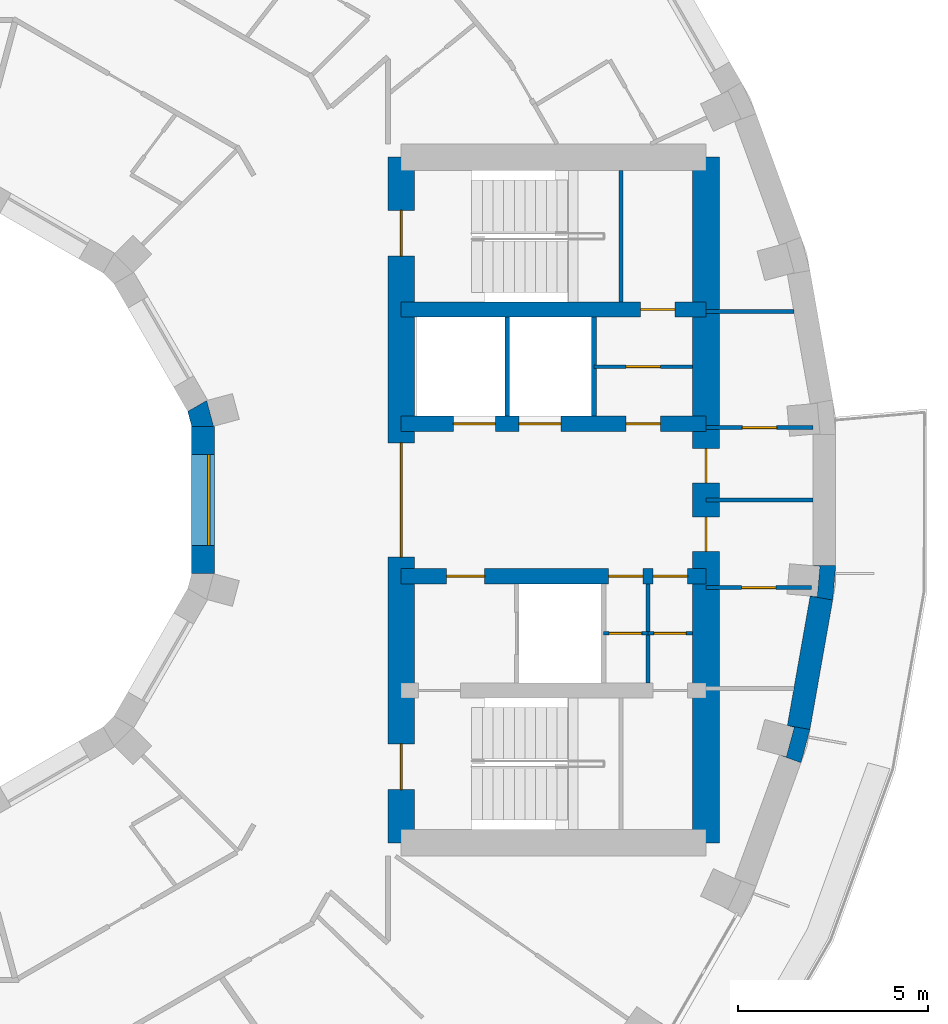
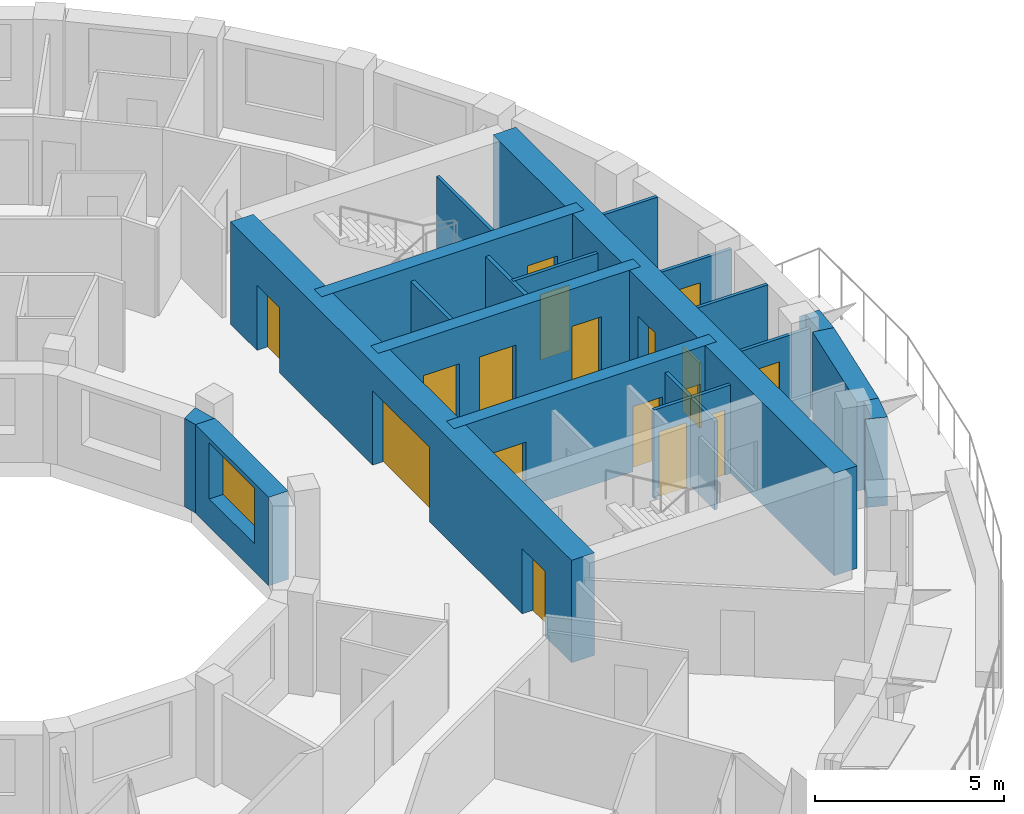
# One storey, part 9 of 14: 21 walls, 17 doors, 1 window, 18 openings.
"""IFC4 building model written with IfcOpenShell, lengths in metres."""

from ifc_helpers import new_model, si_unit, direction, frame, frame_2d, origin, place, context, subcontext, project, spatial, polyline, rectangle, outline, extrude, material, layer, layer_set, type_object, element, fill, save


model = new_model("IFC4")

# Units and contexts
model_context = context("Model", 3, precision=1e-05, world=origin(), true_north=direction((0.0, 1.0)))
body_context = subcontext(model_context, "Body", "Model", "MODEL_VIEW")
ifc_project = project(units=[si_unit("LENGTHUNIT", "METRE"), si_unit("AREAUNIT", "SQUARE_METRE"), si_unit("VOLUMEUNIT", "CUBIC_METRE"), si_unit("PLANEANGLEUNIT", "RADIAN"), si_unit("MASSUNIT", "GRAM", prefix="KILO")], contexts=[model_context])

# Site, building, storey
site_placement = place(None, origin())
site = spatial("IfcSite", under=ifc_project, at=site_placement, CompositionType="ELEMENT")
building_placement = place(site_placement, origin())
building = spatial("IfcBuilding", under=site, at=building_placement, Name="Saqina Gate Tower", CompositionType="ELEMENT")
storey_placement = place(building_placement, frame((0.0, 0.0, 174.0)))
storey = spatial("IfcBuildingStorey", under=building, at=storey_placement, Name="L49", CompositionType="ELEMENT", Elevation=174.0)

# Walls
ifc_material_1 = material(Name="Brick masonry (buff)", Category="masonry")
wall_type_1 = type_object("IfcWallType", Name="BRICK PIER COPING BUFF", PredefinedType="SOLIDWALL", material=ifc_material_1)
wall_1_placement = place(storey_placement, origin())
element("IfcWall", 1, at=wall_1_placement, inside=storey, type_object=wall_type_1, Name="Pier cap L49 column 35", PredefinedType="SOLIDWALL", context=body_context, shape_type="SweptSolid", body=[
    extrude(outline(polyline([(24.22705078125, -6.0234375), (23.635986328125, -5.919189453125), (23.81689453125, -5.967529296875), (23.610107421875, -6.740478515625), (23.428955078125, -6.69189453125), (23.992919921875, -6.897216796875), (24.22705078125, -6.0234375)])), origin(), (0.0, 0.0, 1.0), 2.85009765625),
])
wall_2_placement = place(storey_placement, origin())
element("IfcWall", 2, at=wall_2_placement, inside=storey, type_object=wall_type_1, Name="Pier cap L49 column 36", PredefinedType="SOLIDWALL", context=body_context, shape_type="SweptSolid", body=[
    extrude(outline(polyline([(24.825927734375, -2.6259765625), (24.90478515625, -1.724853515625), (24.304931640625, -1.724853515625), (24.491455078125, -1.7412109375), (24.421630859375, -2.5380859375), (24.235107421875, -2.521728515625), (24.825927734375, -2.6259765625)])), origin(), (0.0, 0.0, 1.0), 2.85009765625),
])
ifc_material_2 = material(Name="Gypsum board on steel studs", Category="steel")
ifc_layer_1 = layer(ifc_material_2, 0.10009765625)
ifc_layer_set_1 = layer_set([ifc_layer_1], Name="CORE PARTITION")
wall_type_2 = type_object("IfcWallType", Name="CORE PARTITION", PredefinedType="PARTITIONING", material=ifc_layer_set_1)
wall_3_placement = place(storey_placement, frame((21.5, 4.949951171875, 0.0), z_axis=(0.0, 0.0, 1.0), x_axis=(1.0, 0.0, 0.0)))
element("IfcWall", 3, at=wall_3_placement, inside=storey, type_object=wall_type_2, Name="L49-CP-E01", PredefinedType="PARTITIONING", context=body_context, shape_type="SweptSolid", body=[
    extrude(rectangle(XDim=2.306884765625, YDim=0.10009765625, at=frame_2d((1.1533203125, 0.0))), origin(), (0.0, 0.0, 1.0), 2.85009765625),
])

# Wall, opening, door
wall_4_placement = place(storey_placement, frame((21.5, 1.89990234375, 0.0), z_axis=(0.0, 0.0, 1.0), x_axis=(1.0, 0.0, 0.0)))
wall_4 = element("IfcWall", 4, at=wall_4_placement, inside=storey, type_object=wall_type_2, Name="L49-CP-E02", PredefinedType="PARTITIONING", context=body_context, shape_type="SweptSolid", body=[
    extrude(rectangle(XDim=2.804931640625, YDim=0.10009765625, at=frame_2d((1.40234375, 0.0))), origin(), (0.0, 0.0, 1.0), 2.85009765625),
])
opening_1_placement = place(wall_4_placement, frame((0.952392578125, 0.0, 0.0)))
opening_1 = element("IfcOpeningElement", 5, at=opening_1_placement, cuts=wall_4, Name="Opening G14-D94", PredefinedType="OPENING", context=body_context, shape_type="SweptSolid", body=[
    extrude(rectangle(XDim=0.89990234375, YDim=2.10009765625, at=frame_2d((0.449951171875, 1.050048828125))), frame((0.0, 0.06201171875, 0.0), z_axis=(0.0, -1.0, 0.0), x_axis=(1.0, 0.0, 0.0)), (0.0, 0.0, 1.0), 0.1240234375),
])
ifc_material_3 = material(Name="Steel-framed fire door leaf, EI 60", Category="steel")
door_type_1 = type_object("IfcDoorType", Name="SERVICE ROOM DOOR 900", OperationType="SINGLE_SWING_LEFT", PredefinedType="DOOR", material=ifc_material_3)
door_1_placement = place(opening_1_placement, origin())
door_1 = element("IfcDoor", 6, at=door_1_placement, inside=storey, type_object=door_type_1, Name="L49-CD-E05", OperationType="SINGLE_SWING_LEFT", OverallHeight=2.10009765625, OverallWidth=0.89990234375, PredefinedType="DOOR", context=body_context, shape_type="SweptSolid", body=[
    extrude(rectangle(XDim=0.89990234375, YDim=2.10009765625, at=frame_2d((0.449951171875, 1.050048828125))), frame((0.0, 0.02490234375, 0.0), z_axis=(0.0, -1.0, 0.0), x_axis=(1.0, 0.0, 0.0)), (0.0, 0.0, 1.0), 0.050048828125),
])
fill(opening_1, door_1)

wall_5_placement = place(storey_placement, frame((21.5, -2.300048828125, 0.0), z_axis=(0.0, 0.0, 1.0), x_axis=(1.0, 0.0, 0.0)))
wall_5 = element("IfcWall", 7, at=wall_5_placement, inside=storey, type_object=wall_type_2, Name="L49-CP-E04", PredefinedType="PARTITIONING", context=body_context, shape_type="SweptSolid", body=[
    extrude(rectangle(XDim=2.774169921875, YDim=0.10009765625, at=frame_2d((1.38720703125, 0.0))), origin(), (0.0, 0.0, 1.0), 2.85009765625),
])
opening_2_placement = place(wall_5_placement, frame((0.93701171875, 0.0, 0.0)))
opening_2 = element("IfcOpeningElement", 8, at=opening_2_placement, cuts=wall_5, Name="Opening G14-D96", PredefinedType="OPENING", context=body_context, shape_type="SweptSolid", body=[
    extrude(rectangle(XDim=0.89990234375, YDim=2.10009765625, at=frame_2d((0.449951171875, 1.050048828125))), frame((0.0, 0.06201171875, 0.0), z_axis=(0.0, -1.0, 0.0), x_axis=(1.0, 0.0, 0.0)), (0.0, 0.0, 1.0), 0.1240234375),
])
door_2_placement = place(opening_2_placement, frame((0.89990234375, 0.0, 0.0), z_axis=(0.0, 0.0, 1.0), x_axis=(-1.0, 0.0, 0.0)))
door_2 = element("IfcDoor", 9, at=door_2_placement, inside=storey, type_object=door_type_1, Name="L49-CD-E07", OperationType="SINGLE_SWING_RIGHT", OverallHeight=2.10009765625, OverallWidth=0.89990234375, PredefinedType="DOOR", context=body_context, shape_type="SweptSolid", body=[
    extrude(rectangle(XDim=0.89990234375, YDim=2.10009765625, at=frame_2d((0.449951171875, 1.050048828125))), frame((0.0, 0.02490234375, 0.0), z_axis=(0.0, -1.0, 0.0), x_axis=(1.0, 0.0, 0.0)), (0.0, 0.0, 1.0), 0.050048828125),
])
fill(opening_2, door_2)

# Walls
wall_6_placement = place(storey_placement, frame((21.5, 0.0, 0.0), z_axis=(0.0, 0.0, 1.0), x_axis=(1.0, 0.0, 0.0)))
element("IfcWall", 10, at=wall_6_placement, inside=storey, type_object=wall_type_2, Name="L49-CP-E05", PredefinedType="PARTITIONING", context=body_context, shape_type="SweptSolid", body=[
    extrude(rectangle(XDim=2.804931640625, YDim=0.10009765625, at=frame_2d((1.40234375, 0.0))), origin(), (0.0, 0.0, 1.0), 2.85009765625),
])
wall_7_placement = place(storey_placement, frame((19.97998046875, -4.800048828125, 0.0), z_axis=(0.0, 0.0, 1.0), x_axis=(0.0, 1.0, 0.0)))
element("IfcWall", 11, at=wall_7_placement, inside=storey, type_object=wall_type_2, Name="L49-CP-E10", PredefinedType="PARTITIONING", context=body_context, shape_type="SweptSolid", body=[
    extrude(rectangle(XDim=2.60009765625, YDim=0.10009765625, at=frame_2d((1.300048828125, 0.0))), origin(), (0.0, 0.0, 1.0), 2.85009765625),
])

# Wall, opening, door
wall_8_placement = place(storey_placement, frame((18.56005859375, 3.5, 0.0), z_axis=(0.0, 0.0, 1.0), x_axis=(1.0, 0.0, 0.0)))
wall_8 = element("IfcWall", 12, at=wall_8_placement, inside=storey, type_object=wall_type_2, Name="L49-CP-E11", PredefinedType="PARTITIONING", context=body_context, shape_type="SweptSolid", body=[
    extrude(rectangle(XDim=2.58984375, YDim=0.10009765625, at=frame_2d((1.294921875, 0.0))), origin(), (0.0, 0.0, 1.0), 2.85009765625),
])
opening_3_placement = place(wall_8_placement, frame((0.844970703125, 0.0, 0.0)))
opening_3 = element("IfcOpeningElement", 13, at=opening_3_placement, cuts=wall_8, Name="Opening G14-D98", PredefinedType="OPENING", context=body_context, shape_type="SweptSolid", body=[
    extrude(rectangle(XDim=0.89990234375, YDim=2.10009765625, at=frame_2d((0.449951171875, 1.050048828125))), frame((0.0, 0.06201171875, 0.0), z_axis=(0.0, -1.0, 0.0), x_axis=(1.0, 0.0, 0.0)), (0.0, 0.0, 1.0), 0.1240234375),
])
door_3_placement = place(opening_3_placement, origin())
door_3 = element("IfcDoor", 14, at=door_3_placement, inside=storey, type_object=door_type_1, Name="L49-CD-E09", OperationType="SINGLE_SWING_RIGHT", OverallHeight=2.10009765625, OverallWidth=0.89990234375, PredefinedType="DOOR", context=body_context, shape_type="SweptSolid", body=[
    extrude(rectangle(XDim=0.89990234375, YDim=2.10009765625, at=frame_2d((0.449951171875, 1.050048828125))), frame((0.0, 0.02490234375, 0.0), z_axis=(0.0, -1.0, 0.0), x_axis=(1.0, 0.0, 0.0)), (0.0, 0.0, 1.0), 0.050048828125),
])
fill(opening_3, door_3)

wall_9_placement = place(storey_placement, frame((18.81005859375, -3.5, 0.0), z_axis=(0.0, 0.0, 1.0), x_axis=(1.0, 0.0, 0.0)))
wall_9 = element("IfcWall", 15, at=wall_9_placement, inside=storey, type_object=wall_type_2, Name="L49-CP-E12", PredefinedType="PARTITIONING", context=body_context, shape_type="SweptSolid", body=[
    extrude(rectangle(XDim=1.169921875, YDim=0.10009765625, at=frame_2d((0.5849609375, 0.0))), origin(), (0.0, 0.0, 1.0), 2.85009765625),
])
opening_4_placement = place(wall_9_placement, frame((0.14990234375, 0.0, 0.0)))
opening_4 = element("IfcOpeningElement", 16, at=opening_4_placement, cuts=wall_9, Name="Opening G14-D100", PredefinedType="OPENING", context=body_context, shape_type="SweptSolid", body=[
    extrude(rectangle(XDim=0.85009765625, YDim=2.10009765625, at=frame_2d((0.425048828125, 1.050048828125))), frame((0.0, 0.06201171875, 0.0), z_axis=(0.0, -1.0, 0.0), x_axis=(1.0, 0.0, 0.0)), (0.0, 0.0, 1.0), 0.1240234375),
])
ifc_material_4 = material(Name="Steel-framed fire door leaf, EI 60", Category="steel")
door_type_2 = type_object("IfcDoorType", Name="SERVICE ROOM DOOR 850", OperationType="SINGLE_SWING_LEFT", PredefinedType="DOOR", material=ifc_material_4)
door_4_placement = place(opening_4_placement, frame((0.85009765625, 0.0, 0.0), z_axis=(0.0, 0.0, 1.0), x_axis=(-1.0, 0.0, 0.0)))
door_4 = element("IfcDoor", 17, at=door_4_placement, inside=storey, type_object=door_type_2, Name="L49-CD-E11", OperationType="SINGLE_SWING_RIGHT", OverallHeight=2.10009765625, OverallWidth=0.85009765625, PredefinedType="DOOR", context=body_context, shape_type="SweptSolid", body=[
    extrude(rectangle(XDim=0.85009765625, YDim=2.10009765625, at=frame_2d((0.425048828125, 1.050048828125))), frame((0.0, 0.02490234375, 0.0), z_axis=(0.0, -1.0, 0.0), x_axis=(1.0, 0.0, 0.0)), (0.0, 0.0, 1.0), 0.050048828125),
])
fill(opening_4, door_4)

wall_10_placement = place(storey_placement, frame((19.97998046875, -3.5, 0.0), z_axis=(0.0, 0.0, 1.0), x_axis=(1.0, 0.0, 0.0)))
wall_10 = element("IfcWall", 18, at=wall_10_placement, inside=storey, type_object=wall_type_2, Name="L49-CP-E13", PredefinedType="PARTITIONING", context=body_context, shape_type="SweptSolid", body=[
    extrude(rectangle(XDim=1.169921875, YDim=0.10009765625, at=frame_2d((0.5849609375, 0.0))), origin(), (0.0, 0.0, 1.0), 2.85009765625),
])
opening_5_placement = place(wall_10_placement, frame((0.14990234375, 0.0, 0.0)))
opening_5 = element("IfcOpeningElement", 19, at=opening_5_placement, cuts=wall_10, Name="Opening G14-D101", PredefinedType="OPENING", context=body_context, shape_type="SweptSolid", body=[
    extrude(rectangle(XDim=0.85009765625, YDim=2.10009765625, at=frame_2d((0.425048828125, 1.050048828125))), frame((0.0, 0.06201171875, 0.0), z_axis=(0.0, -1.0, 0.0), x_axis=(1.0, 0.0, 0.0)), (0.0, 0.0, 1.0), 0.1240234375),
])
door_5_placement = place(opening_5_placement, frame((0.85009765625, 0.0, 0.0), z_axis=(0.0, 0.0, 1.0), x_axis=(-1.0, 0.0, 0.0)))
door_5 = element("IfcDoor", 20, at=door_5_placement, inside=storey, type_object=door_type_2, Name="L49-CD-E12", OperationType="SINGLE_SWING_LEFT", OverallHeight=2.10009765625, OverallWidth=0.85009765625, PredefinedType="DOOR", context=body_context, shape_type="SweptSolid", body=[
    extrude(rectangle(XDim=0.85009765625, YDim=2.10009765625, at=frame_2d((0.425048828125, 1.050048828125))), frame((0.0, 0.02490234375, 0.0), z_axis=(0.0, -1.0, 0.0), x_axis=(1.0, 0.0, 0.0)), (0.0, 0.0, 1.0), 0.050048828125),
])
fill(opening_5, door_5)

# Wall
ifc_material_5 = material(Name="Glazed ceramic tile (white)", Category="ceramic")
ifc_layer_2 = layer(ifc_material_5, 0.60009765625)
ifc_layer_set_2 = layer_set([ifc_layer_2], Name="FW-TILE-WH")
wall_type_3 = type_object("IfcWallType", Name="FW-TILE-WH", PredefinedType="SOLIDWALL", material=ifc_layer_set_2)
wall_11_placement = place(storey_placement, frame((23.931640625, -5.97119140625, 0.0), z_axis=(0.0, 0.0, 1.0), x_axis=(0.173607684551, 0.984814892183, 0.0)))
element("IfcWall", 21, at=wall_11_placement, inside=storey, type_object=wall_type_3, Name="Facade wall L49 facet 35", PredefinedType="SOLIDWALL", context=body_context, shape_type="SweptSolid", body=[
    extrude(rectangle(XDim=3.44970703125, YDim=0.60009765625, at=frame_2d((1.724853515625, 0.0))), origin(), (0.0, 0.0, 1.0), 2.85009765625),
])

# Wall, opening, window
ifc_material_6 = material(Name="Glazed ceramic tile", Category="ceramic")
ifc_layer_3 = layer(ifc_material_6, 0.60009765625)
ifc_layer_set_3 = layer_set([ifc_layer_3], Name="IW-TILE")
wall_type_4 = type_object("IfcWallType", Name="IW-TILE", PredefinedType="SOLIDWALL", material=ifc_layer_set_3)
wall_12_placement = place(storey_placement, frame((8.300048828125, -1.934814453125, 0.0), z_axis=(0.0, 0.0, 1.0), x_axis=(0.0, 1.0, 0.0)))
wall_12 = element("IfcWall", 22, at=wall_12_placement, inside=storey, type_object=wall_type_4, Name="Well wall L49 facet 12", PredefinedType="SOLIDWALL", context=body_context, shape_type="SweptSolid", body=[
    extrude(rectangle(XDim=3.86962890625, YDim=0.60009765625, at=frame_2d((1.934814453125, 0.0))), origin(), (0.0, 0.0, 1.0), 2.85009765625),
])
opening_6_placement = place(wall_12_placement, frame((0.73486328125, 0.0, 0.89990234375)))
opening_6 = element("IfcOpeningElement", 23, at=opening_6_placement, cuts=wall_12, Name="Opening G14-W35", PredefinedType="OPENING", context=body_context, shape_type="SweptSolid", body=[
    extrude(rectangle(XDim=2.39990234375, YDim=1.800048828125, at=frame_2d((1.199951171875, 0.89990234375))), frame((0.0, 0.31201171875, 0.0), z_axis=(0.0, -1.0, 0.0), x_axis=(1.0, 0.0, 0.0)), (0.0, 0.0, 1.0), 0.6240234375),
])
ifc_material_7 = material(Name="Aluminium glazing", Category="aluminium")
window_type = type_object("IfcWindowType", Name="WN-W", PartitioningType="SINGLE_PANEL", PredefinedType="WINDOW", material=ifc_material_7)
window_placement = place(opening_6_placement, origin())
window = element("IfcWindow", 24, at=window_placement, inside=storey, type_object=window_type, Name="Well window L49 facet 12", OverallHeight=1.800048828125, OverallWidth=2.39990234375, PartitioningType="SINGLE_PANEL", PredefinedType="WINDOW", context=body_context, shape_type="SweptSolid", body=[
    extrude(rectangle(XDim=2.39990234375, YDim=1.800048828125, at=frame_2d((1.199951171875, 0.89990234375))), frame((0.0, -0.119873046875, 0.0), z_axis=(0.0, -1.0, 0.0), x_axis=(1.0, 0.0, 0.0)), (0.0, 0.0, 1.0), 0.06005859375),
])
fill(opening_6, window)

# Walls
ifc_material_8 = material(Name="Autoclaved aerated concrete block", Category="concrete")
ifc_layer_4 = layer(ifc_material_8, 0.1201171875)
ifc_layer_set_4 = layer_set([ifc_layer_4], Name="SHAFT PARTITION")
wall_type_5 = type_object("IfcWallType", Name="SHAFT PARTITION", PredefinedType="PARTITIONING", material=ifc_layer_set_4)
for number, where, z_axis, x_axis, name in (
    (25, (16.280029296875, 2.199951171875, 0.0), (0.0, 0.0, 1.0), (0.0, 1.0, 0.0), "L49-CP-E06"),
    (26, (18.56005859375, 2.199951171875, 0.0), (0.0, 0.0, 1.0), (0.0, 1.0, 0.0), "L49-CP-E07"),
):
    element("IfcWall", number, at=place(storey_placement, frame(where, z_axis=z_axis, x_axis=x_axis)), inside=storey, type_object=wall_type_5, Name=name, PredefinedType="PARTITIONING", context=body_context, shape_type="SweptSolid", body=[
        extrude(rectangle(XDim=2.60009765625, YDim=0.1201171875, at=frame_2d((1.300048828125, 0.0))), origin(), (0.0, 0.0, 1.0), 2.85009765625),
    ])
ifc_material_9 = material(Name="Autoclaved aerated concrete block", Category="concrete")
ifc_layer_5 = layer(ifc_material_9, 0.10009765625)
ifc_layer_set_5 = layer_set([ifc_layer_5], Name="STAIR ENCLOSURE WALL")
wall_type_6 = type_object("IfcWallType", Name="STAIR ENCLOSURE WALL", PredefinedType="PARTITIONING", material=ifc_layer_set_5)
wall_13_placement = place(storey_placement, frame((19.27001953125, 5.199951171875, 0.0), z_axis=(0.0, 0.0, 1.0), x_axis=(0.0, 1.0, 0.0)))
element("IfcWall", 27, at=wall_13_placement, inside=storey, type_object=wall_type_6, Name="L49-CP-E14", PredefinedType="PARTITIONING", context=body_context, shape_type="SweptSolid", body=[
    extrude(rectangle(XDim=3.449951171875, YDim=0.10009765625, at=frame_2d((1.72509765625, 0.0))), origin(), (0.0, 0.0, 1.0), 2.85009765625),
])

# Wall, opening, door
ifc_material_10 = material(Name="Concrete C60/75", Category="concrete")
ifc_layer_6 = layer(ifc_material_10, 0.39990234375)
ifc_layer_set_6 = layer_set([ifc_layer_6], Name="Concrete C60/75")
wall_type_7 = type_object("IfcWallType", Name="STR-CORE WALL-C-I", PredefinedType="SHEAR", material=ifc_layer_set_6)
wall_14_placement = place(storey_placement, frame((13.5, 5.0, 0.0), z_axis=(0.0, 0.0, 1.0), x_axis=(1.0, 0.0, 0.0)))
wall_14 = element("IfcWall", 28, at=wall_14_placement, inside=storey, type_object=wall_type_7, Name="CORE WALL L49 E-X1", PredefinedType="SHEAR", context=body_context, shape_type="SweptSolid", body=[
    extrude(rectangle(XDim=8.0, YDim=0.39990234375, at=frame_2d((4.0, 0.0))), origin(), (0.0, 0.0, 1.0), 3.300048828125),
])
opening_7_placement = place(wall_14_placement, frame((6.284912109375, 0.0, 0.0)))
opening_7 = element("IfcOpeningElement", 29, at=opening_7_placement, cuts=wall_14, Name="Opening G14-D99", PredefinedType="OPENING", context=body_context, shape_type="SweptSolid", body=[
    extrude(rectangle(XDim=0.89990234375, YDim=2.10009765625, at=frame_2d((0.449951171875, 1.050048828125))), frame((0.0, 0.2119140625, 0.0), z_axis=(0.0, -1.0, 0.0), x_axis=(1.0, 0.0, 0.0)), (0.0, 0.0, 1.0), 0.423828125),
])
door_6_placement = place(opening_7_placement, origin())
door_6 = element("IfcDoor", 30, at=door_6_placement, inside=storey, type_object=door_type_1, Name="L49-CD-E10", OperationType="SINGLE_SWING_RIGHT", OverallHeight=2.10009765625, OverallWidth=0.89990234375, PredefinedType="DOOR", context=body_context, shape_type="SweptSolid", body=[
    extrude(rectangle(XDim=0.89990234375, YDim=2.10009765625, at=frame_2d((0.449951171875, 1.050048828125))), frame((0.0, 0.02490234375, 0.0), z_axis=(0.0, -1.0, 0.0), x_axis=(1.0, 0.0, 0.0)), (0.0, 0.0, 1.0), 0.050048828125),
])
fill(opening_7, door_6)

# Wall, openings, doors
wall_15_placement = place(storey_placement, frame((13.5, 2.0, 0.0), z_axis=(0.0, 0.0, 1.0), x_axis=(1.0, 0.0, 0.0)))
wall_15 = element("IfcWall", 31, at=wall_15_placement, inside=storey, type_object=wall_type_7, Name="CORE WALL L49 E-L1", PredefinedType="SHEAR", context=body_context, shape_type="SweptSolid", body=[
    extrude(rectangle(XDim=8.0, YDim=0.39990234375, at=frame_2d((4.0, 0.0))), origin(), (0.0, 0.0, 1.0), 3.300048828125),
])
opening_8_placement = place(wall_15_placement, frame((1.3701171875, 0.0, 0.0)))
opening_8 = element("IfcOpeningElement", 32, at=opening_8_placement, cuts=wall_15, Name="Opening G14-LD1", PredefinedType="OPENING", context=body_context, shape_type="SweptSolid", body=[
    extrude(rectangle(XDim=1.10009765625, YDim=2.10009765625, at=frame_2d((0.550048828125, 1.050048828125))), frame((0.0, 0.2119140625, 0.0), z_axis=(0.0, -1.0, 0.0), x_axis=(1.0, 0.0, 0.0)), (0.0, 0.0, 1.0), 0.423828125),
])
opening_9_placement = place(wall_15_placement, frame((3.090087890625, 0.0, 0.0)))
opening_9 = element("IfcOpeningElement", 33, at=opening_9_placement, cuts=wall_15, Name="Opening G14-LD2", PredefinedType="OPENING", context=body_context, shape_type="SweptSolid", body=[
    extrude(rectangle(XDim=1.10009765625, YDim=2.10009765625, at=frame_2d((0.550048828125, 1.050048828125))), frame((0.0, 0.2119140625, 0.0), z_axis=(0.0, -1.0, 0.0), x_axis=(1.0, 0.0, 0.0)), (0.0, 0.0, 1.0), 0.423828125),
])
opening_10_placement = place(wall_15_placement, frame((5.905029296875, 0.0, 0.0)))
opening_10 = element("IfcOpeningElement", 34, at=opening_10_placement, cuts=wall_15, Name="Opening G14-D90", PredefinedType="OPENING", context=body_context, shape_type="SweptSolid", body=[
    extrude(rectangle(XDim=0.89990234375, YDim=2.10009765625, at=frame_2d((0.449951171875, 1.050048828125))), frame((0.0, 0.2119140625, 0.0), z_axis=(0.0, -1.0, 0.0), x_axis=(1.0, 0.0, 0.0)), (0.0, 0.0, 1.0), 0.423828125),
])
ifc_material_11 = material(Name="Stainless steel", Category="steel")
door_type_3 = type_object("IfcDoorType", Name="LANDING DOOR", OperationType="DOUBLE_DOOR_SLIDING", PredefinedType="DOOR", material=ifc_material_11)
door_7_placement = place(opening_8_placement, origin())
door_7 = element("IfcDoor", 35, at=door_7_placement, inside=storey, type_object=door_type_3, Name="LANDING DOOR HR1", OperationType="DOUBLE_DOOR_SLIDING", OverallHeight=2.10009765625, OverallWidth=1.10009765625, PredefinedType="DOOR", context=body_context, shape_type="SweptSolid", body=[
    extrude(rectangle(XDim=1.10009765625, YDim=2.10009765625, at=frame_2d((0.550048828125, 1.050048828125))), frame((0.0, 0.02490234375, 0.0), z_axis=(0.0, -1.0, 0.0), x_axis=(1.0, 0.0, 0.0)), (0.0, 0.0, 1.0), 0.050048828125),
])
fill(opening_8, door_7)
door_8_placement = place(opening_9_placement, origin())
door_8 = element("IfcDoor", 36, at=door_8_placement, inside=storey, type_object=door_type_3, Name="LANDING DOOR HR2", OperationType="DOUBLE_DOOR_SLIDING", OverallHeight=2.10009765625, OverallWidth=1.10009765625, PredefinedType="DOOR", context=body_context, shape_type="SweptSolid", body=[
    extrude(rectangle(XDim=1.10009765625, YDim=2.10009765625, at=frame_2d((0.550048828125, 1.050048828125))), frame((0.0, 0.02490234375, 0.0), z_axis=(0.0, -1.0, 0.0), x_axis=(1.0, 0.0, 0.0)), (0.0, 0.0, 1.0), 0.050048828125),
])
fill(opening_9, door_8)
door_9_placement = place(opening_10_placement, origin())
door_9 = element("IfcDoor", 37, at=door_9_placement, inside=storey, type_object=door_type_1, Name="L49-CD-E01", OperationType="SINGLE_SWING_RIGHT", OverallHeight=2.10009765625, OverallWidth=0.89990234375, PredefinedType="DOOR", context=body_context, shape_type="SweptSolid", body=[
    extrude(rectangle(XDim=0.89990234375, YDim=2.10009765625, at=frame_2d((0.449951171875, 1.050048828125))), frame((0.0, 0.02490234375, 0.0), z_axis=(0.0, -1.0, 0.0), x_axis=(1.0, 0.0, 0.0)), (0.0, 0.0, 1.0), 0.050048828125),
])
fill(opening_10, door_9)

wall_16_placement = place(storey_placement, frame((13.5, -2.0, 0.0), z_axis=(0.0, 0.0, 1.0), x_axis=(1.0, 0.0, 0.0)))
wall_16 = element("IfcWall", 38, at=wall_16_placement, inside=storey, type_object=wall_type_7, Name="CORE WALL L49 E-L2", PredefinedType="SHEAR", context=body_context, shape_type="SweptSolid", body=[
    extrude(rectangle(XDim=8.0, YDim=0.39990234375, at=frame_2d((4.0, 0.0))), origin(), (0.0, 0.0, 1.0), 3.300048828125),
])
opening_11_placement = place(wall_16_placement, frame((1.18994140625, 0.0, 0.0)))
opening_11 = element("IfcOpeningElement", 39, at=opening_11_placement, cuts=wall_16, Name="Opening G14-D91", PredefinedType="OPENING", context=body_context, shape_type="SweptSolid", body=[
    extrude(rectangle(XDim=1.0, YDim=2.10009765625, at=frame_2d((0.5, 1.050048828125))), frame((0.0, 0.2119140625, 0.0), z_axis=(0.0, -1.0, 0.0), x_axis=(1.0, 0.0, 0.0)), (0.0, 0.0, 1.0), 0.423828125),
])
opening_12_placement = place(wall_16_placement, frame((5.445068359375, 0.0, 0.0)))
opening_12 = element("IfcOpeningElement", 40, at=opening_12_placement, cuts=wall_16, Name="Opening G14-D92", PredefinedType="OPENING", context=body_context, shape_type="SweptSolid", body=[
    extrude(rectangle(XDim=0.89990234375, YDim=2.10009765625, at=frame_2d((0.449951171875, 1.050048828125))), frame((0.0, 0.2119140625, 0.0), z_axis=(0.0, -1.0, 0.0), x_axis=(1.0, 0.0, 0.0)), (0.0, 0.0, 1.0), 0.423828125),
])
opening_13_placement = place(wall_16_placement, frame((6.614990234375, 0.0, 0.0)))
opening_13 = element("IfcOpeningElement", 41, at=opening_13_placement, cuts=wall_16, Name="Opening G14-D93", PredefinedType="OPENING", context=body_context, shape_type="SweptSolid", body=[
    extrude(rectangle(XDim=0.89990234375, YDim=2.10009765625, at=frame_2d((0.449951171875, 1.050048828125))), frame((0.0, 0.2119140625, 0.0), z_axis=(0.0, -1.0, 0.0), x_axis=(1.0, 0.0, 0.0)), (0.0, 0.0, 1.0), 0.423828125),
])
ifc_material_12 = material(Name="Steel", Category="steel")
door_type_4 = type_object("IfcDoorType", Name="FIRE LOBBY DOOR EI 60", OperationType="SINGLE_SWING_LEFT", PredefinedType="DOOR", material=ifc_material_12)
door_10_placement = place(opening_11_placement, origin())
door_10 = element("IfcDoor", 42, at=door_10_placement, inside=storey, type_object=door_type_4, Name="L49-CD-E02", OperationType="SINGLE_SWING_LEFT", OverallHeight=2.10009765625, OverallWidth=1.0, PredefinedType="DOOR", context=body_context, shape_type="SweptSolid", body=[
    extrude(rectangle(XDim=1.0, YDim=2.10009765625, at=frame_2d((0.5, 1.050048828125))), frame((0.0, 0.02490234375, 0.0), z_axis=(0.0, -1.0, 0.0), x_axis=(1.0, 0.0, 0.0)), (0.0, 0.0, 1.0), 0.050048828125),
])
fill(opening_11, door_10)
door_11_placement = place(opening_12_placement, frame((0.89990234375, 0.0, 0.0), z_axis=(0.0, 0.0, 1.0), x_axis=(-1.0, 0.0, 0.0)))
door_11 = element("IfcDoor", 43, at=door_11_placement, inside=storey, type_object=door_type_1, Name="L49-CD-E03", OperationType="SINGLE_SWING_RIGHT", OverallHeight=2.10009765625, OverallWidth=0.89990234375, PredefinedType="DOOR", context=body_context, shape_type="SweptSolid", body=[
    extrude(rectangle(XDim=0.89990234375, YDim=2.10009765625, at=frame_2d((0.449951171875, 1.050048828125))), frame((0.0, 0.02490234375, 0.0), z_axis=(0.0, -1.0, 0.0), x_axis=(1.0, 0.0, 0.0)), (0.0, 0.0, 1.0), 0.050048828125),
])
fill(opening_12, door_11)
door_12_placement = place(opening_13_placement, frame((0.89990234375, 0.0, 0.0), z_axis=(0.0, 0.0, 1.0), x_axis=(-1.0, 0.0, 0.0)))
door_12 = element("IfcDoor", 44, at=door_12_placement, inside=storey, type_object=door_type_1, Name="L49-CD-E04", OperationType="SINGLE_SWING_LEFT", OverallHeight=2.10009765625, OverallWidth=0.89990234375, PredefinedType="DOOR", context=body_context, shape_type="SweptSolid", body=[
    extrude(rectangle(XDim=0.89990234375, YDim=2.10009765625, at=frame_2d((0.449951171875, 1.050048828125))), frame((0.0, 0.02490234375, 0.0), z_axis=(0.0, -1.0, 0.0), x_axis=(1.0, 0.0, 0.0)), (0.0, 0.0, 1.0), 0.050048828125),
])
fill(opening_13, door_12)

ifc_material_13 = material(Name="Concrete C60/75", Category="concrete")
ifc_layer_7 = layer(ifc_material_13, 0.699951171875)
ifc_layer_set_7 = layer_set([ifc_layer_7], Name="Concrete C60/75")
wall_type_8 = type_object("IfcWallType", Name="STR-CORE WALL-C-O", PredefinedType="SHEAR", material=ifc_layer_set_7)
wall_17_placement = place(storey_placement, frame((13.5, -9.0, 0.0), z_axis=(0.0, 0.0, 1.0), x_axis=(0.0, 1.0, 0.0)))
wall_17 = element("IfcWall", 45, at=wall_17_placement, inside=storey, type_object=wall_type_8, Name="CORE WALL L49 E-W1", PredefinedType="SHEAR", context=body_context, shape_type="SweptSolid", body=[
    extrude(rectangle(XDim=18.0, YDim=0.699951171875, at=frame_2d((9.0, 0.0))), origin(), (0.0, 0.0, 1.0), 3.300048828125),
])
opening_14_placement = place(wall_17_placement, frame((15.39990234375, 0.0, 0.0)))
opening_14 = element("IfcOpeningElement", 46, at=opening_14_placement, cuts=wall_17, Name="Opening G14-D104", PredefinedType="OPENING", context=body_context, shape_type="SweptSolid", body=[
    extrude(rectangle(XDim=1.199951171875, YDim=2.10009765625, at=frame_2d((0.60009765625, 1.050048828125))), frame((0.0, 0.362060546875, 0.0), z_axis=(0.0, -1.0, 0.0), x_axis=(1.0, 0.0, 0.0)), (0.0, 0.0, 1.0), 0.723876953125),
])
opening_15_placement = place(wall_17_placement, frame((1.39990234375, 0.0, 0.0)))
opening_15 = element("IfcOpeningElement", 47, at=opening_15_placement, cuts=wall_17, Name="Opening G14-D105", PredefinedType="OPENING", context=body_context, shape_type="SweptSolid", body=[
    extrude(rectangle(XDim=1.199951171875, YDim=2.10009765625, at=frame_2d((0.60009765625, 1.050048828125))), frame((0.0, 0.362060546875, 0.0), z_axis=(0.0, -1.0, 0.0), x_axis=(1.0, 0.0, 0.0)), (0.0, 0.0, 1.0), 0.723876953125),
])
opening_16_placement = place(wall_17_placement, frame((7.5, 0.0, 0.0)))
opening_16 = element("IfcOpeningElement", 48, at=opening_16_placement, cuts=wall_17, Name="Opening G14-D106", PredefinedType="OPENING", context=body_context, shape_type="SweptSolid", body=[
    extrude(rectangle(XDim=3.0, YDim=2.39990234375, at=frame_2d((1.5, 1.199951171875))), frame((0.0, 0.362060546875, 0.0), z_axis=(0.0, -1.0, 0.0), x_axis=(1.0, 0.0, 0.0)), (0.0, 0.0, 1.0), 0.723876953125),
])
ifc_material_14 = material(Name="Steel", Category="steel")
door_type_5 = type_object("IfcDoorType", Name="FIRE DOOR EI 60", OperationType="SINGLE_SWING_LEFT", PredefinedType="DOOR", material=ifc_material_14)
door_13_placement = place(opening_14_placement, frame((1.199951171875, 0.0, 0.0), z_axis=(0.0, 0.0, 1.0), x_axis=(-1.0, 0.0, 0.0)))
door_13 = element("IfcDoor", 49, at=door_13_placement, inside=storey, type_object=door_type_5, Name="L49-CD-E15", OperationType="SINGLE_SWING_LEFT", OverallHeight=2.10009765625, OverallWidth=1.199951171875, PredefinedType="DOOR", context=body_context, shape_type="SweptSolid", body=[
    extrude(rectangle(XDim=1.199951171875, YDim=2.10009765625, at=frame_2d((0.60009765625, 1.050048828125))), frame((0.0, 0.02490234375, 0.0), z_axis=(0.0, -1.0, 0.0), x_axis=(1.0, 0.0, 0.0)), (0.0, 0.0, 1.0), 0.050048828125),
])
fill(opening_14, door_13)
door_14_placement = place(opening_15_placement, frame((1.199951171875, 0.0, 0.0), z_axis=(0.0, 0.0, 1.0), x_axis=(-1.0, 0.0, 0.0)))
door_14 = element("IfcDoor", 50, at=door_14_placement, inside=storey, type_object=door_type_5, Name="L49-CD-E16", OperationType="SINGLE_SWING_RIGHT", OverallHeight=2.10009765625, OverallWidth=1.199951171875, PredefinedType="DOOR", context=body_context, shape_type="SweptSolid", body=[
    extrude(rectangle(XDim=1.199951171875, YDim=2.10009765625, at=frame_2d((0.60009765625, 1.050048828125))), frame((0.0, 0.02490234375, 0.0), z_axis=(0.0, -1.0, 0.0), x_axis=(1.0, 0.0, 0.0)), (0.0, 0.0, 1.0), 0.050048828125),
])
fill(opening_15, door_14)
ifc_material_15 = material(Name="Steel and fire-resisting glass", Category="steel")
door_type_6 = type_object("IfcDoorType", Name="LOBBY SCREEN DOOR", OperationType="DOUBLE_DOOR_SLIDING", PredefinedType="DOOR", material=ifc_material_15)
door_15_placement = place(opening_16_placement, origin())
door_15 = element("IfcDoor", 51, at=door_15_placement, inside=storey, type_object=door_type_6, Name="L49-CD-E17", OperationType="DOUBLE_DOOR_SLIDING", OverallHeight=2.39990234375, OverallWidth=3.0, PredefinedType="DOOR", context=body_context, shape_type="SweptSolid", body=[
    extrude(rectangle(XDim=3.0, YDim=2.39990234375, at=frame_2d((1.5, 1.199951171875))), frame((0.0, 0.02490234375, 0.0), z_axis=(0.0, -1.0, 0.0), x_axis=(1.0, 0.0, 0.0)), (0.0, 0.0, 1.0), 0.050048828125),
])
fill(opening_16, door_15)

wall_18_placement = place(storey_placement, frame((21.5, -9.0, 0.0), z_axis=(0.0, 0.0, 1.0), x_axis=(0.0, 1.0, 0.0)))
wall_18 = element("IfcWall", 52, at=wall_18_placement, inside=storey, type_object=wall_type_8, Name="CORE WALL L49 E-W2", PredefinedType="SHEAR", context=body_context, shape_type="SweptSolid", body=[
    extrude(rectangle(XDim=18.0, YDim=0.699951171875, at=frame_2d((9.0, 0.0))), origin(), (0.0, 0.0, 1.0), 3.300048828125),
])
opening_17_placement = place(wall_18_placement, frame((9.449951171875, 0.0, 0.0)))
opening_17 = element("IfcOpeningElement", 53, at=opening_17_placement, cuts=wall_18, Name="Opening G14-D95", PredefinedType="OPENING", context=body_context, shape_type="SweptSolid", body=[
    extrude(rectangle(XDim=0.89990234375, YDim=2.10009765625, at=frame_2d((0.449951171875, 1.050048828125))), frame((0.0, 0.362060546875, 0.0), z_axis=(0.0, -1.0, 0.0), x_axis=(1.0, 0.0, 0.0)), (0.0, 0.0, 1.0), 0.723876953125),
])
opening_18_placement = place(wall_18_placement, frame((7.64990234375, 0.0, 0.0)))
opening_18 = element("IfcOpeningElement", 54, at=opening_18_placement, cuts=wall_18, Name="Opening G14-D97", PredefinedType="OPENING", context=body_context, shape_type="SweptSolid", body=[
    extrude(rectangle(XDim=0.89990234375, YDim=2.10009765625, at=frame_2d((0.449951171875, 1.050048828125))), frame((0.0, 0.362060546875, 0.0), z_axis=(0.0, -1.0, 0.0), x_axis=(1.0, 0.0, 0.0)), (0.0, 0.0, 1.0), 0.723876953125),
])
door_16_placement = place(opening_17_placement, frame((0.89990234375, 0.0, 0.0), z_axis=(0.0, 0.0, 1.0), x_axis=(-1.0, 0.0, 0.0)))
door_16 = element("IfcDoor", 55, at=door_16_placement, inside=storey, type_object=door_type_1, Name="L49-CD-E06", OperationType="SINGLE_SWING_LEFT", OverallHeight=2.10009765625, OverallWidth=0.89990234375, PredefinedType="DOOR", context=body_context, shape_type="SweptSolid", body=[
    extrude(rectangle(XDim=0.89990234375, YDim=2.10009765625, at=frame_2d((0.449951171875, 1.050048828125))), frame((0.0, 0.02490234375, 0.0), z_axis=(0.0, -1.0, 0.0), x_axis=(1.0, 0.0, 0.0)), (0.0, 0.0, 1.0), 0.050048828125),
])
fill(opening_17, door_16)
door_17_placement = place(opening_18_placement, frame((0.89990234375, 0.0, 0.0), z_axis=(0.0, 0.0, 1.0), x_axis=(-1.0, 0.0, 0.0)))
door_17 = element("IfcDoor", 56, at=door_17_placement, inside=storey, type_object=door_type_1, Name="L49-CD-E08", OperationType="SINGLE_SWING_LEFT", OverallHeight=2.10009765625, OverallWidth=0.89990234375, PredefinedType="DOOR", context=body_context, shape_type="SweptSolid", body=[
    extrude(rectangle(XDim=0.89990234375, YDim=2.10009765625, at=frame_2d((0.449951171875, 1.050048828125))), frame((0.0, 0.02490234375, 0.0), z_axis=(0.0, -1.0, 0.0), x_axis=(1.0, 0.0, 0.0)), (0.0, 0.0, 1.0), 0.050048828125),
])
fill(opening_18, door_17)

# Wall
ifc_material_16 = material(Name="Glazed ceramic tile", Category="ceramic")
wall_type_9 = type_object("IfcWallType", Name="TILE PIER COPING", PredefinedType="SOLIDWALL", material=ifc_material_16)
wall_19_placement = place(storey_placement, origin())
element("IfcWall", 57, at=wall_19_placement, inside=storey, type_object=wall_type_9, Name="Well pier cap L49 column 1", PredefinedType="SOLIDWALL", context=body_context, shape_type="SweptSolid", body=[
    extrude(outline(polyline([(8.392333984375, 2.611083984375), (7.895751953125, 2.32421875), (8.0, 1.934814453125), (8.573486328125, 1.934814453125), (8.392333984375, 2.611083984375)])), origin(), (0.0, 0.0, 1.0), 2.85009765625),
])

save(model, "model.ifc")
